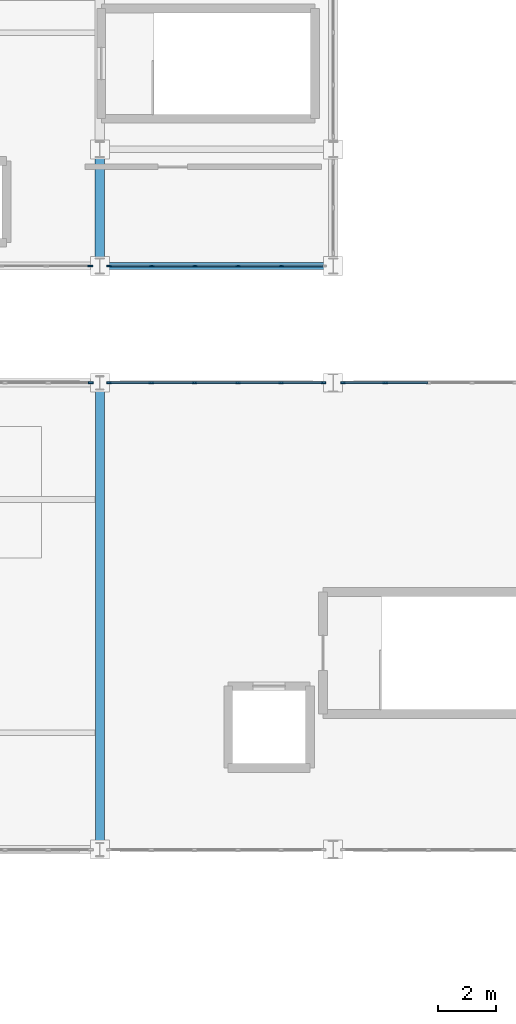
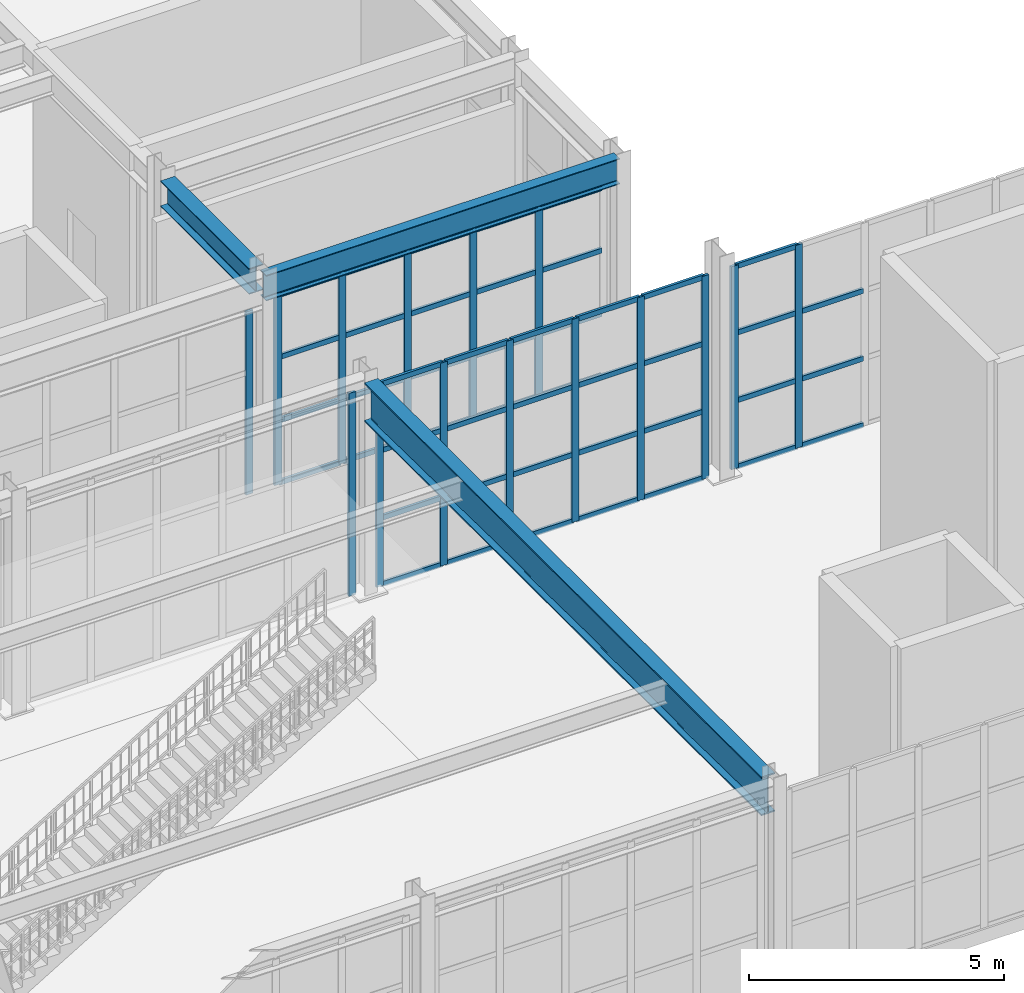
# One storey, part 35 of 82: 62 members, 3 beams, 5 elements without a shape of their own.
"""IFC4 building model written with IfcOpenShell, lengths in metres."""

from ifc_helpers import new_model, si_unit, direction, frame, origin, origin_2d, place, context, subcontext, project, spatial, rectangle, i_section, extrude, material, material_profile, profile_set, type_object, element, aggregate, save


model = new_model("IFC4")

# Units and contexts
model_context = context("Model", 3, precision=1e-05, world=origin(), true_north=direction((0.0, 1.0)))
body_context = subcontext(model_context, "Body", "Model", "MODEL_VIEW")
ifc_project = project(units=[si_unit("LENGTHUNIT", "METRE"), si_unit("AREAUNIT", "SQUARE_METRE"), si_unit("VOLUMEUNIT", "CUBIC_METRE"), si_unit("PLANEANGLEUNIT", "RADIAN"), si_unit("MASSUNIT", "GRAM", prefix="KILO")], contexts=[model_context])

# Site, building, storey
site_placement = place(None, origin())
site = spatial("IfcSite", under=ifc_project, at=site_placement, CompositionType="ELEMENT")
building_placement = place(site_placement, origin())
building = spatial("IfcBuilding", under=site, at=building_placement, Name="Serraluz Foothill Cableway Terminal", CompositionType="ELEMENT")
storey_placement = place(building_placement, frame((0.0, 0.0, 9.60009765625)))
storey = spatial("IfcBuildingStorey", under=building, at=storey_placement, Name="L02", CompositionType="ELEMENT", Elevation=9.60009765625)

# Beams
ifc_material_1 = material(Name="Steel ASTM A992 Grade 50", Category="steel")
ifc_material_profile_1 = material_profile(ifc_material_1, i_section(OverallWidth=0.324951171875, OverallDepth=0.615966796875, WebThickness=0.013916015625, FlangeThickness=0.021484375, FilletRadius=0.01806640625, at=origin_2d()), Name="W24X117")
ifc_profile_set_1 = profile_set([ifc_material_profile_1], Name="Steel ASTM A992 Grade 50")
beam_type_1 = type_object("IfcBeamType", Name="TYP-BM-W24X117", PredefinedType="BEAM", material=ifc_profile_set_1)
beam_1_placement = place(storey_placement, frame((96.0, 76.267578125, 4.841796875), z_axis=(0.0, 1.0, 0.0), x_axis=(-1.0, 0.0, 0.0)))
element("IfcBeam", 1, at=beam_1_placement, inside=storey, type_object=beam_type_1, Name="Transverse Girder BM-Y-L02-0336", PredefinedType="BEAM", context=body_context, shape_type="SweptSolid", body=[
    extrude(i_section(OverallWidth=0.324951171875, OverallDepth=0.615966796875, WebThickness=0.013916015625, FlangeThickness=0.021484375, FilletRadius=0.01806640625, at=origin_2d()), origin(), (0.0, 0.0, 1.0), 3.46484375),
])
ifc_material_profile_2 = material_profile(ifc_material_1, i_section(OverallWidth=0.22900390625, OverallDepth=0.612060546875, WebThickness=0.011962890625, FlangeThickness=0.01953125, FilletRadius=0.01806640625, at=origin_2d()), Name="W24X84")
ifc_profile_set_2 = profile_set([ifc_material_profile_2], Name="Steel ASTM A992 Grade 50")
beam_type_2 = type_object("IfcBeamType", Name="TYP-BM-W24X84", PredefinedType="BEAM", material=ifc_profile_set_2)
beam_2_placement = place(storey_placement, frame((96.0048828125, 76.0, 4.85400390625), z_axis=(1.0, 0.0, 0.0), x_axis=(0.0, 1.0, 0.0)))
element("IfcBeam", 2, at=beam_2_placement, inside=storey, type_object=beam_type_2, Name="Primary Girder BM-X-L02-0316", PredefinedType="BEAM", context=body_context, shape_type="SweptSolid", body=[
    extrude(i_section(OverallWidth=0.22900390625, OverallDepth=0.612060546875, WebThickness=0.011962890625, FlangeThickness=0.01953125, FilletRadius=0.01806640625, at=origin_2d()), origin(), (0.0, 0.0, 1.0), 7.990234375),
])
ifc_material_profile_3 = material_profile(ifc_material_1, i_section(OverallWidth=0.30810546875, OverallDepth=0.927001953125, WebThickness=0.019287109375, FlangeThickness=0.031982421875, FilletRadius=0.02587890625, at=origin_2d()), Name="W36X194")
ifc_profile_set_3 = profile_set([ifc_material_profile_3], Name="Steel ASTM A992 Grade 50")
beam_type_3 = type_object("IfcBeamType", Name="TYP-BM-W36X194", PredefinedType="BEAM", material=ifc_profile_set_3)
beam_3_placement = place(storey_placement, frame((96.0, 56.23193359375, 4.6865234375), z_axis=(0.0, 1.0, 0.0), x_axis=(-1.0, 0.0, 0.0)))
element("IfcBeam", 3, at=beam_3_placement, inside=storey, type_object=beam_type_3, Name="Transverse Girder BM-Y-L02-0335", PredefinedType="BEAM", context=body_context, shape_type="SweptSolid", body=[
    extrude(i_section(OverallWidth=0.30810546875, OverallDepth=0.927001953125, WebThickness=0.019287109375, FlangeThickness=0.031982421875, FilletRadius=0.02587890625, at=origin_2d()), origin(), (0.0, 0.0, 1.0), 15.5361328125),
])

# Curtain wall, member
ifc_material_2 = material(Name="Architectural bronze alloy C28000", Category="aluminium")
curtain_wall_type_1 = type_object("IfcCurtainWallType", Name="TYP-CW-440X360", PredefinedType="NOTDEFINED", material=ifc_material_2)
curtain_wall_1_placement = place(storey_placement, origin())
curtain_wall_1 = element("IfcCurtainWall", 4, at=curtain_wall_1_placement, inside=storey, type_object=curtain_wall_type_1, Name="Ribbed Glazed Curtain Wall CW-V1N-L02-88", PredefinedType="NOTDEFINED")
ifc_material_profile_4 = material_profile(ifc_material_2, rectangle(XDim=0.06005859375, YDim=0.159912109375, at=origin_2d()), Name="ALU MULLION 60x160")
ifc_profile_set_4 = profile_set([ifc_material_profile_4], Name="Architectural bronze alloy C28000")
member_type_1 = type_object("IfcMemberType", Name="TYP-CW-MUL-60X160", PredefinedType="MULLION", material=ifc_profile_set_4)
member_1_placement = place(storey_placement, frame((95.6884765625, 72.0, 0.0), z_axis=(0.0, 0.0, 1.0), x_axis=(0.0, 1.0, 0.0)))
member_1 = element("IfcMember", 5, at=member_1_placement, type_object=member_type_1, Name="CW-16 mullion 6", PredefinedType="MULLION", context=body_context, shape_type="SweptSolid", body=[
    extrude(rectangle(XDim=0.06005859375, YDim=0.159912109375, at=origin_2d()), origin(), (0.0, 0.0, 1.0), 4.849853515625),
])
aggregate(curtain_wall_1, [member_1])

# Curtain wall, members
curtain_wall_type_2 = type_object("IfcCurtainWallType", Name="TYP-CW-380X420", PredefinedType="NOTDEFINED", material=ifc_material_2)
curtain_wall_2_placement = place(storey_placement, origin())
curtain_wall_2 = element("IfcCurtainWall", 6, at=curtain_wall_2_placement, inside=storey, type_object=curtain_wall_type_2, Name="Ribbed Glazed Curtain Wall CW-V1N-L02-96", PredefinedType="NOTDEFINED")
member_2_placement = place(storey_placement, frame((96.3115234375, 72.0, 0.0), z_axis=(0.0, 0.0, 1.0), x_axis=(0.0, 1.0, 0.0)))
member_2 = element("IfcMember", 7, at=member_2_placement, type_object=member_type_1, Name="CW-17 mullion 1", PredefinedType="MULLION", context=body_context, shape_type="SweptSolid", body=[
    extrude(rectangle(XDim=0.06005859375, YDim=0.159912109375, at=origin_2d()), origin(), (0.0, 0.0, 1.0), 4.849853515625),
])
member_3_placement = place(storey_placement, frame((97.7646484375, 72.0, 0.0), z_axis=(0.0, 0.0, 1.0), x_axis=(0.0, 1.0, 0.0)))
member_3 = element("IfcMember", 8, at=member_3_placement, type_object=member_type_1, Name="CW-17 mullion 2", PredefinedType="MULLION", context=body_context, shape_type="SweptSolid", body=[
    extrude(rectangle(XDim=0.06005859375, YDim=0.159912109375, at=origin_2d()), origin(), (0.0, 0.0, 1.0), 4.849853515625),
])
member_4_placement = place(storey_placement, frame((99.247802734375, 72.0, 0.0), z_axis=(0.0, 0.0, 1.0), x_axis=(0.0, 1.0, 0.0)))
member_4 = element("IfcMember", 9, at=member_4_placement, type_object=member_type_1, Name="CW-17 mullion 3", PredefinedType="MULLION", context=body_context, shape_type="SweptSolid", body=[
    extrude(rectangle(XDim=0.06005859375, YDim=0.159912109375, at=origin_2d()), origin(), (0.0, 0.0, 1.0), 4.849853515625),
])
member_5_placement = place(storey_placement, frame((100.731201171875, 72.0, 0.0), z_axis=(0.0, 0.0, 1.0), x_axis=(0.0, 1.0, 0.0)))
member_5 = element("IfcMember", 10, at=member_5_placement, type_object=member_type_1, Name="CW-17 mullion 4", PredefinedType="MULLION", context=body_context, shape_type="SweptSolid", body=[
    extrude(rectangle(XDim=0.06005859375, YDim=0.159912109375, at=origin_2d()), origin(), (0.0, 0.0, 1.0), 4.849853515625),
])
member_6_placement = place(storey_placement, frame((102.21435546875, 72.0, 0.0), z_axis=(0.0, 0.0, 1.0), x_axis=(0.0, 1.0, 0.0)))
member_6 = element("IfcMember", 11, at=member_6_placement, type_object=member_type_1, Name="CW-17 mullion 5", PredefinedType="MULLION", context=body_context, shape_type="SweptSolid", body=[
    extrude(rectangle(XDim=0.06005859375, YDim=0.159912109375, at=origin_2d()), origin(), (0.0, 0.0, 1.0), 4.849853515625),
])
member_7_placement = place(storey_placement, frame((103.66748046875, 72.0, 0.0), z_axis=(0.0, 0.0, 1.0), x_axis=(0.0, 1.0, 0.0)))
member_7 = element("IfcMember", 12, at=member_7_placement, type_object=member_type_1, Name="CW-17 mullion 6", PredefinedType="MULLION", context=body_context, shape_type="SweptSolid", body=[
    extrude(rectangle(XDim=0.06005859375, YDim=0.159912109375, at=origin_2d()), origin(), (0.0, 0.0, 1.0), 4.849853515625),
])

curtain_wall_type_3 = type_object("IfcCurtainWallType", Name="TYP-CW-360X380", PredefinedType="NOTDEFINED", material=ifc_material_2)
curtain_wall_3_placement = place(storey_placement, origin())
curtain_wall_3 = element("IfcCurtainWall", 13, at=curtain_wall_3_placement, inside=storey, type_object=curtain_wall_type_3, Name="Ribbed Glazed Curtain Wall CW-V1N-L02-104", PredefinedType="NOTDEFINED")
member_8_placement = place(storey_placement, frame((104.33251953125, 72.0, 0.0), z_axis=(0.0, 0.0, 1.0), x_axis=(0.0, 1.0, 0.0)))
member_8 = element("IfcMember", 14, at=member_8_placement, type_object=member_type_1, Name="CW-18 mullion 1", PredefinedType="MULLION", context=body_context, shape_type="SweptSolid", body=[
    extrude(rectangle(XDim=0.06005859375, YDim=0.159912109375, at=origin_2d()), origin(), (0.0, 0.0, 1.0), 4.849853515625),
])
member_9_placement = place(storey_placement, frame((105.78564453125, 72.0, 0.0), z_axis=(0.0, 0.0, 1.0), x_axis=(0.0, 1.0, 0.0)))
member_9 = element("IfcMember", 15, at=member_9_placement, type_object=member_type_1, Name="CW-18 mullion 2", PredefinedType="MULLION", context=body_context, shape_type="SweptSolid", body=[
    extrude(rectangle(XDim=0.06005859375, YDim=0.159912109375, at=origin_2d()), origin(), (0.0, 0.0, 1.0), 4.849853515625),
])

curtain_wall_type_4 = type_object("IfcCurtainWallType", Name="TYP-CW-680X420", PredefinedType="NOTDEFINED", material=ifc_material_2)
curtain_wall_4_placement = place(storey_placement, origin())
curtain_wall_4 = element("IfcCurtainWall", 16, at=curtain_wall_4_placement, inside=storey, type_object=curtain_wall_type_4, Name="Ribbed Glazed Curtain Wall CW-V4S-L02-96", PredefinedType="NOTDEFINED")
member_10_placement = place(storey_placement, frame((102.222412109375, 76.0, 0.0), z_axis=(0.0, 0.0, 1.0), x_axis=(0.0, -1.0, 0.0)))
member_10 = element("IfcMember", 17, at=member_10_placement, type_object=member_type_1, Name="CW-13 mullion 2", PredefinedType="MULLION", context=body_context, shape_type="SweptSolid", body=[
    extrude(rectangle(XDim=0.06005859375, YDim=0.159912109375, at=origin_2d()), origin(), (0.0, 0.0, 1.0), 4.5478515625),
])
member_11_placement = place(storey_placement, frame((100.74072265625, 76.0, 0.0), z_axis=(0.0, 0.0, 1.0), x_axis=(0.0, -1.0, 0.0)))
member_11 = element("IfcMember", 18, at=member_11_placement, type_object=member_type_1, Name="CW-13 mullion 3", PredefinedType="MULLION", context=body_context, shape_type="SweptSolid", body=[
    extrude(rectangle(XDim=0.06005859375, YDim=0.159912109375, at=origin_2d()), origin(), (0.0, 0.0, 1.0), 4.5478515625),
])
member_12_placement = place(storey_placement, frame((99.25927734375, 76.0, 0.0), z_axis=(0.0, 0.0, 1.0), x_axis=(0.0, -1.0, 0.0)))
member_12 = element("IfcMember", 19, at=member_12_placement, type_object=member_type_1, Name="CW-13 mullion 4", PredefinedType="MULLION", context=body_context, shape_type="SweptSolid", body=[
    extrude(rectangle(XDim=0.06005859375, YDim=0.159912109375, at=origin_2d()), origin(), (0.0, 0.0, 1.0), 4.5478515625),
])
member_13_placement = place(storey_placement, frame((97.777587890625, 76.0, 0.0), z_axis=(0.0, 0.0, 1.0), x_axis=(0.0, -1.0, 0.0)))
member_13 = element("IfcMember", 20, at=member_13_placement, type_object=member_type_1, Name="CW-13 mullion 5", PredefinedType="MULLION", context=body_context, shape_type="SweptSolid", body=[
    extrude(rectangle(XDim=0.06005859375, YDim=0.159912109375, at=origin_2d()), origin(), (0.0, 0.0, 1.0), 4.5478515625),
])
member_14_placement = place(storey_placement, frame((96.325927734375, 76.0, 0.0), z_axis=(0.0, 0.0, 1.0), x_axis=(0.0, -1.0, 0.0)))
member_14 = element("IfcMember", 21, at=member_14_placement, type_object=member_type_1, Name="CW-13 mullion 6", PredefinedType="MULLION", context=body_context, shape_type="SweptSolid", body=[
    extrude(rectangle(XDim=0.06005859375, YDim=0.159912109375, at=origin_2d()), origin(), (0.0, 0.0, 1.0), 4.5478515625),
])

# Curtain wall, member
curtain_wall_5_placement = place(storey_placement, origin())
curtain_wall_5 = element("IfcCurtainWall", 22, at=curtain_wall_5_placement, inside=storey, type_object=curtain_wall_type_4, Name="Ribbed Glazed Curtain Wall CW-V4S-L02-80", PredefinedType="NOTDEFINED")
member_15_placement = place(storey_placement, frame((95.674072265625, 76.0, 0.0), z_axis=(0.0, 0.0, 1.0), x_axis=(0.0, -1.0, 0.0)))
member_15 = element("IfcMember", 23, at=member_15_placement, type_object=member_type_1, Name="CW-13 mullion 1", PredefinedType="MULLION", context=body_context, shape_type="SweptSolid", body=[
    extrude(rectangle(XDim=0.06005859375, YDim=0.159912109375, at=origin_2d()), origin(), (0.0, 0.0, 1.0), 4.3798828125),
])
aggregate(curtain_wall_5, [member_15])

# Member
ifc_material_profile_5 = material_profile(ifc_material_2, rectangle(XDim=0.06005859375, YDim=0.1201171875, at=origin_2d()), Name="ALU TRANSOM 60x120")
ifc_profile_set_5 = profile_set([ifc_material_profile_5], Name="Architectural bronze alloy C28000")
member_type_2 = type_object("IfcMemberType", Name="TYP-CW-TRN-60X120", PredefinedType="USERDEFINED", material=ifc_profile_set_5)
member_16_placement = place(storey_placement, frame((96.341552734375, 72.0, 0.02978515625), z_axis=(1.0, 0.0, 0.0), x_axis=(0.0, 1.0, 0.0)))
member_16 = element("IfcMember", 24, at=member_16_placement, type_object=member_type_2, Name="CW-17 transom 1.1", ObjectType="TRANSOM", PredefinedType="USERDEFINED", context=body_context, shape_type="SweptSolid", body=[
    extrude(rectangle(XDim=0.06005859375, YDim=0.1201171875, at=origin_2d()), origin(), (0.0, 0.0, 1.0), 1.39306640625),
])

member_17_placement = place(storey_placement, frame((96.341552734375, 72.0, 1.61669921875), z_axis=(1.0, 0.0, 0.0), x_axis=(0.0, 1.0, 0.0)))
member_17 = element("IfcMember", 25, at=member_17_placement, type_object=member_type_2, Name="CW-17 transom 1.2", ObjectType="TRANSOM", PredefinedType="USERDEFINED", context=body_context, shape_type="SweptSolid", body=[
    extrude(rectangle(XDim=0.06005859375, YDim=0.1201171875, at=origin_2d()), origin(), (0.0, 0.0, 1.0), 1.39306640625),
])

member_18_placement = place(storey_placement, frame((96.341552734375, 72.0, 3.233154296875), z_axis=(1.0, 0.0, 0.0), x_axis=(0.0, 1.0, 0.0)))
member_18 = element("IfcMember", 26, at=member_18_placement, type_object=member_type_2, Name="CW-17 transom 1.3", ObjectType="TRANSOM", PredefinedType="USERDEFINED", context=body_context, shape_type="SweptSolid", body=[
    extrude(rectangle(XDim=0.06005859375, YDim=0.1201171875, at=origin_2d()), origin(), (0.0, 0.0, 1.0), 1.39306640625),
])

member_19_placement = place(storey_placement, frame((96.341552734375, 72.0, 4.81982421875), z_axis=(1.0, 0.0, 0.0), x_axis=(0.0, 1.0, 0.0)))
member_19 = element("IfcMember", 27, at=member_19_placement, type_object=member_type_2, Name="CW-17 transom 1.4", ObjectType="TRANSOM", PredefinedType="USERDEFINED", context=body_context, shape_type="SweptSolid", body=[
    extrude(rectangle(XDim=0.06005859375, YDim=0.1201171875, at=origin_2d()), origin(), (0.0, 0.0, 1.0), 1.39306640625),
])

member_20_placement = place(storey_placement, frame((97.794677734375, 72.0, 0.02978515625), z_axis=(1.0, 0.0, 0.0), x_axis=(0.0, 1.0, 0.0)))
member_20 = element("IfcMember", 28, at=member_20_placement, type_object=member_type_2, Name="CW-17 transom 2.1", ObjectType="TRANSOM", PredefinedType="USERDEFINED", context=body_context, shape_type="SweptSolid", body=[
    extrude(rectangle(XDim=0.06005859375, YDim=0.1201171875, at=origin_2d()), origin(), (0.0, 0.0, 1.0), 1.42333984375),
])

member_21_placement = place(storey_placement, frame((97.794677734375, 72.0, 1.61669921875), z_axis=(1.0, 0.0, 0.0), x_axis=(0.0, 1.0, 0.0)))
member_21 = element("IfcMember", 29, at=member_21_placement, type_object=member_type_2, Name="CW-17 transom 2.2", ObjectType="TRANSOM", PredefinedType="USERDEFINED", context=body_context, shape_type="SweptSolid", body=[
    extrude(rectangle(XDim=0.06005859375, YDim=0.1201171875, at=origin_2d()), origin(), (0.0, 0.0, 1.0), 1.42333984375),
])

member_22_placement = place(storey_placement, frame((97.794677734375, 72.0, 3.233154296875), z_axis=(1.0, 0.0, 0.0), x_axis=(0.0, 1.0, 0.0)))
member_22 = element("IfcMember", 30, at=member_22_placement, type_object=member_type_2, Name="CW-17 transom 2.3", ObjectType="TRANSOM", PredefinedType="USERDEFINED", context=body_context, shape_type="SweptSolid", body=[
    extrude(rectangle(XDim=0.06005859375, YDim=0.1201171875, at=origin_2d()), origin(), (0.0, 0.0, 1.0), 1.42333984375),
])

member_23_placement = place(storey_placement, frame((97.794677734375, 72.0, 4.81982421875), z_axis=(1.0, 0.0, 0.0), x_axis=(0.0, 1.0, 0.0)))
member_23 = element("IfcMember", 31, at=member_23_placement, type_object=member_type_2, Name="CW-17 transom 2.4", ObjectType="TRANSOM", PredefinedType="USERDEFINED", context=body_context, shape_type="SweptSolid", body=[
    extrude(rectangle(XDim=0.06005859375, YDim=0.1201171875, at=origin_2d()), origin(), (0.0, 0.0, 1.0), 1.42333984375),
])

member_24_placement = place(storey_placement, frame((99.27783203125, 72.0, 0.02978515625), z_axis=(1.0, 0.0, 0.0), x_axis=(0.0, 1.0, 0.0)))
member_24 = element("IfcMember", 32, at=member_24_placement, type_object=member_type_2, Name="CW-17 transom 3.1", ObjectType="TRANSOM", PredefinedType="USERDEFINED", context=body_context, shape_type="SweptSolid", body=[
    extrude(rectangle(XDim=0.06005859375, YDim=0.1201171875, at=origin_2d()), origin(), (0.0, 0.0, 1.0), 1.42333984375),
])

member_25_placement = place(storey_placement, frame((99.27783203125, 72.0, 1.61669921875), z_axis=(1.0, 0.0, 0.0), x_axis=(0.0, 1.0, 0.0)))
member_25 = element("IfcMember", 33, at=member_25_placement, type_object=member_type_2, Name="CW-17 transom 3.2", ObjectType="TRANSOM", PredefinedType="USERDEFINED", context=body_context, shape_type="SweptSolid", body=[
    extrude(rectangle(XDim=0.06005859375, YDim=0.1201171875, at=origin_2d()), origin(), (0.0, 0.0, 1.0), 1.42333984375),
])

member_26_placement = place(storey_placement, frame((99.27783203125, 72.0, 3.233154296875), z_axis=(1.0, 0.0, 0.0), x_axis=(0.0, 1.0, 0.0)))
member_26 = element("IfcMember", 34, at=member_26_placement, type_object=member_type_2, Name="CW-17 transom 3.3", ObjectType="TRANSOM", PredefinedType="USERDEFINED", context=body_context, shape_type="SweptSolid", body=[
    extrude(rectangle(XDim=0.06005859375, YDim=0.1201171875, at=origin_2d()), origin(), (0.0, 0.0, 1.0), 1.42333984375),
])

member_27_placement = place(storey_placement, frame((99.27783203125, 72.0, 4.81982421875), z_axis=(1.0, 0.0, 0.0), x_axis=(0.0, 1.0, 0.0)))
member_27 = element("IfcMember", 35, at=member_27_placement, type_object=member_type_2, Name="CW-17 transom 3.4", ObjectType="TRANSOM", PredefinedType="USERDEFINED", context=body_context, shape_type="SweptSolid", body=[
    extrude(rectangle(XDim=0.06005859375, YDim=0.1201171875, at=origin_2d()), origin(), (0.0, 0.0, 1.0), 1.42333984375),
])

member_28_placement = place(storey_placement, frame((100.760986328125, 72.0, 0.02978515625), z_axis=(1.0, 0.0, 0.0), x_axis=(0.0, 1.0, 0.0)))
member_28 = element("IfcMember", 36, at=member_28_placement, type_object=member_type_2, Name="CW-17 transom 4.1", ObjectType="TRANSOM", PredefinedType="USERDEFINED", context=body_context, shape_type="SweptSolid", body=[
    extrude(rectangle(XDim=0.06005859375, YDim=0.1201171875, at=origin_2d()), origin(), (0.0, 0.0, 1.0), 1.42333984375),
])

member_29_placement = place(storey_placement, frame((100.760986328125, 72.0, 1.61669921875), z_axis=(1.0, 0.0, 0.0), x_axis=(0.0, 1.0, 0.0)))
member_29 = element("IfcMember", 37, at=member_29_placement, type_object=member_type_2, Name="CW-17 transom 4.2", ObjectType="TRANSOM", PredefinedType="USERDEFINED", context=body_context, shape_type="SweptSolid", body=[
    extrude(rectangle(XDim=0.06005859375, YDim=0.1201171875, at=origin_2d()), origin(), (0.0, 0.0, 1.0), 1.42333984375),
])

member_30_placement = place(storey_placement, frame((100.760986328125, 72.0, 3.233154296875), z_axis=(1.0, 0.0, 0.0), x_axis=(0.0, 1.0, 0.0)))
member_30 = element("IfcMember", 38, at=member_30_placement, type_object=member_type_2, Name="CW-17 transom 4.3", ObjectType="TRANSOM", PredefinedType="USERDEFINED", context=body_context, shape_type="SweptSolid", body=[
    extrude(rectangle(XDim=0.06005859375, YDim=0.1201171875, at=origin_2d()), origin(), (0.0, 0.0, 1.0), 1.42333984375),
])

member_31_placement = place(storey_placement, frame((100.760986328125, 72.0, 4.81982421875), z_axis=(1.0, 0.0, 0.0), x_axis=(0.0, 1.0, 0.0)))
member_31 = element("IfcMember", 39, at=member_31_placement, type_object=member_type_2, Name="CW-17 transom 4.4", ObjectType="TRANSOM", PredefinedType="USERDEFINED", context=body_context, shape_type="SweptSolid", body=[
    extrude(rectangle(XDim=0.06005859375, YDim=0.1201171875, at=origin_2d()), origin(), (0.0, 0.0, 1.0), 1.42333984375),
])

member_32_placement = place(storey_placement, frame((102.244384765625, 72.0, 0.02978515625), z_axis=(1.0, 0.0, 0.0), x_axis=(0.0, 1.0, 0.0)))
member_32 = element("IfcMember", 40, at=member_32_placement, type_object=member_type_2, Name="CW-17 transom 5.1", ObjectType="TRANSOM", PredefinedType="USERDEFINED", context=body_context, shape_type="SweptSolid", body=[
    extrude(rectangle(XDim=0.06005859375, YDim=0.1201171875, at=origin_2d()), origin(), (0.0, 0.0, 1.0), 1.39306640625),
])

member_33_placement = place(storey_placement, frame((102.244384765625, 72.0, 1.61669921875), z_axis=(1.0, 0.0, 0.0), x_axis=(0.0, 1.0, 0.0)))
member_33 = element("IfcMember", 41, at=member_33_placement, type_object=member_type_2, Name="CW-17 transom 5.2", ObjectType="TRANSOM", PredefinedType="USERDEFINED", context=body_context, shape_type="SweptSolid", body=[
    extrude(rectangle(XDim=0.06005859375, YDim=0.1201171875, at=origin_2d()), origin(), (0.0, 0.0, 1.0), 1.39306640625),
])

member_34_placement = place(storey_placement, frame((102.244384765625, 72.0, 3.233154296875), z_axis=(1.0, 0.0, 0.0), x_axis=(0.0, 1.0, 0.0)))
member_34 = element("IfcMember", 42, at=member_34_placement, type_object=member_type_2, Name="CW-17 transom 5.3", ObjectType="TRANSOM", PredefinedType="USERDEFINED", context=body_context, shape_type="SweptSolid", body=[
    extrude(rectangle(XDim=0.06005859375, YDim=0.1201171875, at=origin_2d()), origin(), (0.0, 0.0, 1.0), 1.39306640625),
])

member_35_placement = place(storey_placement, frame((102.244384765625, 72.0, 4.81982421875), z_axis=(1.0, 0.0, 0.0), x_axis=(0.0, 1.0, 0.0)))
member_35 = element("IfcMember", 43, at=member_35_placement, type_object=member_type_2, Name="CW-17 transom 5.4", ObjectType="TRANSOM", PredefinedType="USERDEFINED", context=body_context, shape_type="SweptSolid", body=[
    extrude(rectangle(XDim=0.06005859375, YDim=0.1201171875, at=origin_2d()), origin(), (0.0, 0.0, 1.0), 1.39306640625),
])

aggregate(curtain_wall_2, [member_2, member_3, member_4, member_5, member_6, member_7, member_16, member_17, member_18, member_19, member_20, member_21, member_22, member_23, member_24, member_25, member_26, member_27, member_28, member_29, member_30, member_31, member_32, member_33, member_34, member_35])

member_36_placement = place(storey_placement, frame((104.362548828125, 72.0, 0.02978515625), z_axis=(1.0, 0.0, 0.0), x_axis=(0.0, 1.0, 0.0)))
member_36 = element("IfcMember", 44, at=member_36_placement, type_object=member_type_2, Name="CW-18 transom 1.1", ObjectType="TRANSOM", PredefinedType="USERDEFINED", context=body_context, shape_type="SweptSolid", body=[
    extrude(rectangle(XDim=0.06005859375, YDim=0.1201171875, at=origin_2d()), origin(), (0.0, 0.0, 1.0), 1.39306640625),
])

member_37_placement = place(storey_placement, frame((104.362548828125, 72.0, 1.61669921875), z_axis=(1.0, 0.0, 0.0), x_axis=(0.0, 1.0, 0.0)))
member_37 = element("IfcMember", 45, at=member_37_placement, type_object=member_type_2, Name="CW-18 transom 1.2", ObjectType="TRANSOM", PredefinedType="USERDEFINED", context=body_context, shape_type="SweptSolid", body=[
    extrude(rectangle(XDim=0.06005859375, YDim=0.1201171875, at=origin_2d()), origin(), (0.0, 0.0, 1.0), 1.39306640625),
])

member_38_placement = place(storey_placement, frame((104.362548828125, 72.0, 3.233154296875), z_axis=(1.0, 0.0, 0.0), x_axis=(0.0, 1.0, 0.0)))
member_38 = element("IfcMember", 46, at=member_38_placement, type_object=member_type_2, Name="CW-18 transom 1.3", ObjectType="TRANSOM", PredefinedType="USERDEFINED", context=body_context, shape_type="SweptSolid", body=[
    extrude(rectangle(XDim=0.06005859375, YDim=0.1201171875, at=origin_2d()), origin(), (0.0, 0.0, 1.0), 1.39306640625),
])

member_39_placement = place(storey_placement, frame((104.362548828125, 72.0, 4.81982421875), z_axis=(1.0, 0.0, 0.0), x_axis=(0.0, 1.0, 0.0)))
member_39 = element("IfcMember", 47, at=member_39_placement, type_object=member_type_2, Name="CW-18 transom 1.4", ObjectType="TRANSOM", PredefinedType="USERDEFINED", context=body_context, shape_type="SweptSolid", body=[
    extrude(rectangle(XDim=0.06005859375, YDim=0.1201171875, at=origin_2d()), origin(), (0.0, 0.0, 1.0), 1.39306640625),
])

member_40_placement = place(storey_placement, frame((105.815673828125, 72.0, 0.02978515625), z_axis=(1.0, 0.0, 0.0), x_axis=(0.0, 1.0, 0.0)))
member_40 = element("IfcMember", 48, at=member_40_placement, type_object=member_type_2, Name="CW-18 transom 2.1", ObjectType="TRANSOM", PredefinedType="USERDEFINED", context=body_context, shape_type="SweptSolid", body=[
    extrude(rectangle(XDim=0.06005859375, YDim=0.1201171875, at=origin_2d()), origin(), (0.0, 0.0, 1.0), 1.42333984375),
])

member_41_placement = place(storey_placement, frame((105.815673828125, 72.0, 1.61669921875), z_axis=(1.0, 0.0, 0.0), x_axis=(0.0, 1.0, 0.0)))
member_41 = element("IfcMember", 49, at=member_41_placement, type_object=member_type_2, Name="CW-18 transom 2.2", ObjectType="TRANSOM", PredefinedType="USERDEFINED", context=body_context, shape_type="SweptSolid", body=[
    extrude(rectangle(XDim=0.06005859375, YDim=0.1201171875, at=origin_2d()), origin(), (0.0, 0.0, 1.0), 1.42333984375),
])

member_42_placement = place(storey_placement, frame((105.815673828125, 72.0, 3.233154296875), z_axis=(1.0, 0.0, 0.0), x_axis=(0.0, 1.0, 0.0)))
member_42 = element("IfcMember", 50, at=member_42_placement, type_object=member_type_2, Name="CW-18 transom 2.3", ObjectType="TRANSOM", PredefinedType="USERDEFINED", context=body_context, shape_type="SweptSolid", body=[
    extrude(rectangle(XDim=0.06005859375, YDim=0.1201171875, at=origin_2d()), origin(), (0.0, 0.0, 1.0), 1.42333984375),
])

aggregate(curtain_wall_3, [member_8, member_9, member_36, member_37, member_38, member_39, member_40, member_41, member_42])

member_43_placement = place(storey_placement, frame((103.64404296875, 76.0, 0.02978515625), z_axis=(-1.0, 0.0, 0.0), x_axis=(0.0, -1.0, 0.0)))
member_43 = element("IfcMember", 51, at=member_43_placement, type_object=member_type_2, Name="CW-13 transom 1.1", ObjectType="TRANSOM", PredefinedType="USERDEFINED", context=body_context, shape_type="SweptSolid", body=[
    extrude(rectangle(XDim=0.06005859375, YDim=0.1201171875, at=origin_2d()), origin(), (0.0, 0.0, 1.0), 1.3916015625),
])

member_44_placement = place(storey_placement, frame((103.64404296875, 76.0, 1.515869140625), z_axis=(-1.0, 0.0, 0.0), x_axis=(0.0, -1.0, 0.0)))
member_44 = element("IfcMember", 52, at=member_44_placement, type_object=member_type_2, Name="CW-13 transom 1.2", ObjectType="TRANSOM", PredefinedType="USERDEFINED", context=body_context, shape_type="SweptSolid", body=[
    extrude(rectangle(XDim=0.06005859375, YDim=0.1201171875, at=origin_2d()), origin(), (0.0, 0.0, 1.0), 1.3916015625),
])

member_45_placement = place(storey_placement, frame((103.64404296875, 76.0, 3.031982421875), z_axis=(-1.0, 0.0, 0.0), x_axis=(0.0, -1.0, 0.0)))
member_45 = element("IfcMember", 53, at=member_45_placement, type_object=member_type_2, Name="CW-13 transom 1.3", ObjectType="TRANSOM", PredefinedType="USERDEFINED", context=body_context, shape_type="SweptSolid", body=[
    extrude(rectangle(XDim=0.06005859375, YDim=0.1201171875, at=origin_2d()), origin(), (0.0, 0.0, 1.0), 1.3916015625),
])

member_46_placement = place(storey_placement, frame((103.64404296875, 76.0, 4.517822265625), z_axis=(-1.0, 0.0, 0.0), x_axis=(0.0, -1.0, 0.0)))
member_46 = element("IfcMember", 54, at=member_46_placement, type_object=member_type_2, Name="CW-13 transom 1.4", ObjectType="TRANSOM", PredefinedType="USERDEFINED", context=body_context, shape_type="SweptSolid", body=[
    extrude(rectangle(XDim=0.06005859375, YDim=0.1201171875, at=origin_2d()), origin(), (0.0, 0.0, 1.0), 1.3916015625),
])

member_47_placement = place(storey_placement, frame((102.1923828125, 76.0, 0.02978515625), z_axis=(-1.0, 0.0, 0.0), x_axis=(0.0, -1.0, 0.0)))
member_47 = element("IfcMember", 55, at=member_47_placement, type_object=member_type_2, Name="CW-13 transom 2.1", ObjectType="TRANSOM", PredefinedType="USERDEFINED", context=body_context, shape_type="SweptSolid", body=[
    extrude(rectangle(XDim=0.06005859375, YDim=0.1201171875, at=origin_2d()), origin(), (0.0, 0.0, 1.0), 1.421630859375),
])

member_48_placement = place(storey_placement, frame((102.1923828125, 76.0, 1.515869140625), z_axis=(-1.0, 0.0, 0.0), x_axis=(0.0, -1.0, 0.0)))
member_48 = element("IfcMember", 56, at=member_48_placement, type_object=member_type_2, Name="CW-13 transom 2.2", ObjectType="TRANSOM", PredefinedType="USERDEFINED", context=body_context, shape_type="SweptSolid", body=[
    extrude(rectangle(XDim=0.06005859375, YDim=0.1201171875, at=origin_2d()), origin(), (0.0, 0.0, 1.0), 1.421630859375),
])

member_49_placement = place(storey_placement, frame((102.1923828125, 76.0, 3.031982421875), z_axis=(-1.0, 0.0, 0.0), x_axis=(0.0, -1.0, 0.0)))
member_49 = element("IfcMember", 57, at=member_49_placement, type_object=member_type_2, Name="CW-13 transom 2.3", ObjectType="TRANSOM", PredefinedType="USERDEFINED", context=body_context, shape_type="SweptSolid", body=[
    extrude(rectangle(XDim=0.06005859375, YDim=0.1201171875, at=origin_2d()), origin(), (0.0, 0.0, 1.0), 1.421630859375),
])

member_50_placement = place(storey_placement, frame((102.1923828125, 76.0, 4.517822265625), z_axis=(-1.0, 0.0, 0.0), x_axis=(0.0, -1.0, 0.0)))
member_50 = element("IfcMember", 58, at=member_50_placement, type_object=member_type_2, Name="CW-13 transom 2.4", ObjectType="TRANSOM", PredefinedType="USERDEFINED", context=body_context, shape_type="SweptSolid", body=[
    extrude(rectangle(XDim=0.06005859375, YDim=0.1201171875, at=origin_2d()), origin(), (0.0, 0.0, 1.0), 1.421630859375),
])

member_51_placement = place(storey_placement, frame((100.710693359375, 76.0, 0.02978515625), z_axis=(-1.0, 0.0, 0.0), x_axis=(0.0, -1.0, 0.0)))
member_51 = element("IfcMember", 59, at=member_51_placement, type_object=member_type_2, Name="CW-13 transom 3.1", ObjectType="TRANSOM", PredefinedType="USERDEFINED", context=body_context, shape_type="SweptSolid", body=[
    extrude(rectangle(XDim=0.06005859375, YDim=0.1201171875, at=origin_2d()), origin(), (0.0, 0.0, 1.0), 1.42138671875),
])

member_52_placement = place(storey_placement, frame((100.710693359375, 76.0, 1.515869140625), z_axis=(-1.0, 0.0, 0.0), x_axis=(0.0, -1.0, 0.0)))
member_52 = element("IfcMember", 60, at=member_52_placement, type_object=member_type_2, Name="CW-13 transom 3.2", ObjectType="TRANSOM", PredefinedType="USERDEFINED", context=body_context, shape_type="SweptSolid", body=[
    extrude(rectangle(XDim=0.06005859375, YDim=0.1201171875, at=origin_2d()), origin(), (0.0, 0.0, 1.0), 1.42138671875),
])

member_53_placement = place(storey_placement, frame((100.710693359375, 76.0, 3.031982421875), z_axis=(-1.0, 0.0, 0.0), x_axis=(0.0, -1.0, 0.0)))
member_53 = element("IfcMember", 61, at=member_53_placement, type_object=member_type_2, Name="CW-13 transom 3.3", ObjectType="TRANSOM", PredefinedType="USERDEFINED", context=body_context, shape_type="SweptSolid", body=[
    extrude(rectangle(XDim=0.06005859375, YDim=0.1201171875, at=origin_2d()), origin(), (0.0, 0.0, 1.0), 1.42138671875),
])

member_54_placement = place(storey_placement, frame((100.710693359375, 76.0, 4.517822265625), z_axis=(-1.0, 0.0, 0.0), x_axis=(0.0, -1.0, 0.0)))
member_54 = element("IfcMember", 62, at=member_54_placement, type_object=member_type_2, Name="CW-13 transom 3.4", ObjectType="TRANSOM", PredefinedType="USERDEFINED", context=body_context, shape_type="SweptSolid", body=[
    extrude(rectangle(XDim=0.06005859375, YDim=0.1201171875, at=origin_2d()), origin(), (0.0, 0.0, 1.0), 1.42138671875),
])

member_55_placement = place(storey_placement, frame((99.229248046875, 76.0, 0.02978515625), z_axis=(-1.0, 0.0, 0.0), x_axis=(0.0, -1.0, 0.0)))
member_55 = element("IfcMember", 63, at=member_55_placement, type_object=member_type_2, Name="CW-13 transom 4.1", ObjectType="TRANSOM", PredefinedType="USERDEFINED", context=body_context, shape_type="SweptSolid", body=[
    extrude(rectangle(XDim=0.06005859375, YDim=0.1201171875, at=origin_2d()), origin(), (0.0, 0.0, 1.0), 1.421630859375),
])

member_56_placement = place(storey_placement, frame((99.229248046875, 76.0, 1.515869140625), z_axis=(-1.0, 0.0, 0.0), x_axis=(0.0, -1.0, 0.0)))
member_56 = element("IfcMember", 64, at=member_56_placement, type_object=member_type_2, Name="CW-13 transom 4.2", ObjectType="TRANSOM", PredefinedType="USERDEFINED", context=body_context, shape_type="SweptSolid", body=[
    extrude(rectangle(XDim=0.06005859375, YDim=0.1201171875, at=origin_2d()), origin(), (0.0, 0.0, 1.0), 1.421630859375),
])

member_57_placement = place(storey_placement, frame((99.229248046875, 76.0, 3.031982421875), z_axis=(-1.0, 0.0, 0.0), x_axis=(0.0, -1.0, 0.0)))
member_57 = element("IfcMember", 65, at=member_57_placement, type_object=member_type_2, Name="CW-13 transom 4.3", ObjectType="TRANSOM", PredefinedType="USERDEFINED", context=body_context, shape_type="SweptSolid", body=[
    extrude(rectangle(XDim=0.06005859375, YDim=0.1201171875, at=origin_2d()), origin(), (0.0, 0.0, 1.0), 1.421630859375),
])

member_58_placement = place(storey_placement, frame((99.229248046875, 76.0, 4.517822265625), z_axis=(-1.0, 0.0, 0.0), x_axis=(0.0, -1.0, 0.0)))
member_58 = element("IfcMember", 66, at=member_58_placement, type_object=member_type_2, Name="CW-13 transom 4.4", ObjectType="TRANSOM", PredefinedType="USERDEFINED", context=body_context, shape_type="SweptSolid", body=[
    extrude(rectangle(XDim=0.06005859375, YDim=0.1201171875, at=origin_2d()), origin(), (0.0, 0.0, 1.0), 1.421630859375),
])

member_59_placement = place(storey_placement, frame((97.74755859375, 76.0, 0.02978515625), z_axis=(-1.0, 0.0, 0.0), x_axis=(0.0, -1.0, 0.0)))
member_59 = element("IfcMember", 67, at=member_59_placement, type_object=member_type_2, Name="CW-13 transom 5.1", ObjectType="TRANSOM", PredefinedType="USERDEFINED", context=body_context, shape_type="SweptSolid", body=[
    extrude(rectangle(XDim=0.06005859375, YDim=0.1201171875, at=origin_2d()), origin(), (0.0, 0.0, 1.0), 1.3916015625),
])

member_60_placement = place(storey_placement, frame((97.74755859375, 76.0, 1.515869140625), z_axis=(-1.0, 0.0, 0.0), x_axis=(0.0, -1.0, 0.0)))
member_60 = element("IfcMember", 68, at=member_60_placement, type_object=member_type_2, Name="CW-13 transom 5.2", ObjectType="TRANSOM", PredefinedType="USERDEFINED", context=body_context, shape_type="SweptSolid", body=[
    extrude(rectangle(XDim=0.06005859375, YDim=0.1201171875, at=origin_2d()), origin(), (0.0, 0.0, 1.0), 1.3916015625),
])

member_61_placement = place(storey_placement, frame((97.74755859375, 76.0, 3.031982421875), z_axis=(-1.0, 0.0, 0.0), x_axis=(0.0, -1.0, 0.0)))
member_61 = element("IfcMember", 69, at=member_61_placement, type_object=member_type_2, Name="CW-13 transom 5.3", ObjectType="TRANSOM", PredefinedType="USERDEFINED", context=body_context, shape_type="SweptSolid", body=[
    extrude(rectangle(XDim=0.06005859375, YDim=0.1201171875, at=origin_2d()), origin(), (0.0, 0.0, 1.0), 1.3916015625),
])

member_62_placement = place(storey_placement, frame((97.74755859375, 76.0, 4.517822265625), z_axis=(-1.0, 0.0, 0.0), x_axis=(0.0, -1.0, 0.0)))
member_62 = element("IfcMember", 70, at=member_62_placement, type_object=member_type_2, Name="CW-13 transom 5.4", ObjectType="TRANSOM", PredefinedType="USERDEFINED", context=body_context, shape_type="SweptSolid", body=[
    extrude(rectangle(XDim=0.06005859375, YDim=0.1201171875, at=origin_2d()), origin(), (0.0, 0.0, 1.0), 1.3916015625),
])

aggregate(curtain_wall_4, [member_10, member_11, member_12, member_13, member_14, member_43, member_44, member_45, member_46, member_47, member_48, member_49, member_50, member_51, member_52, member_53, member_54, member_55, member_56, member_57, member_58, member_59, member_60, member_61, member_62])

save(model, "model.ifc")
